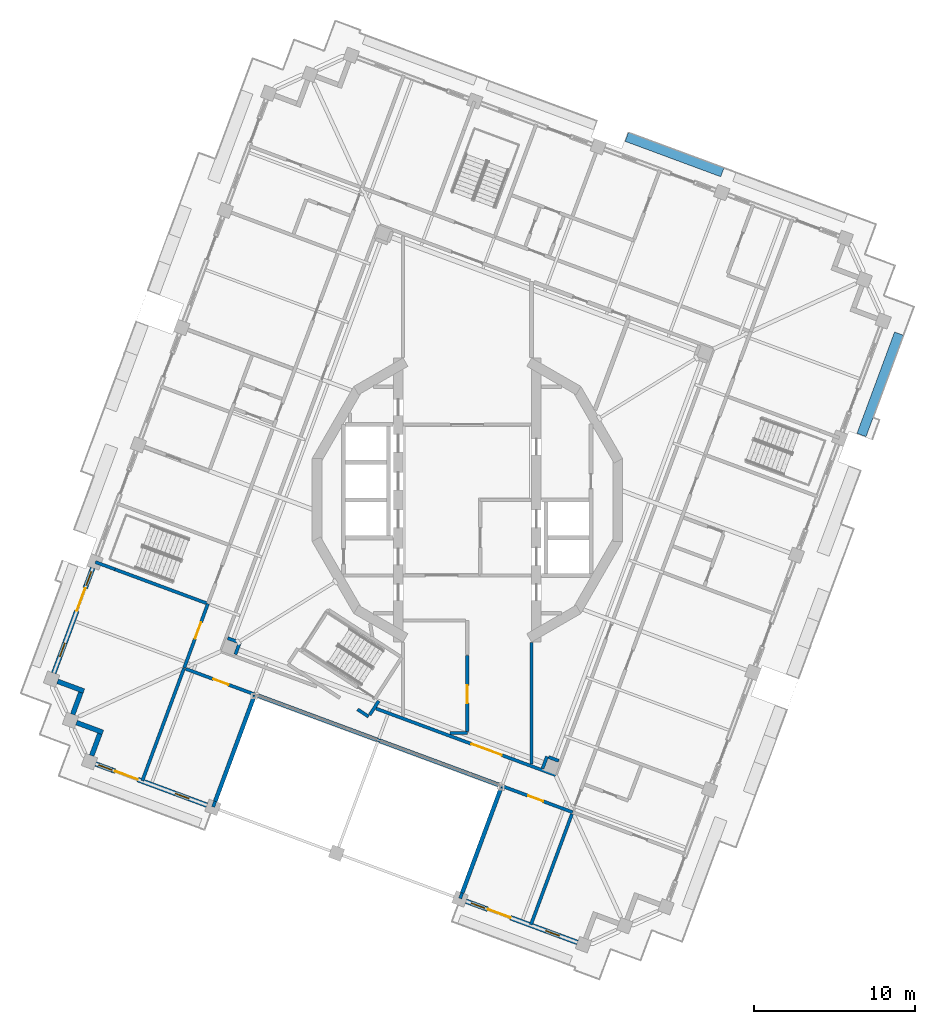
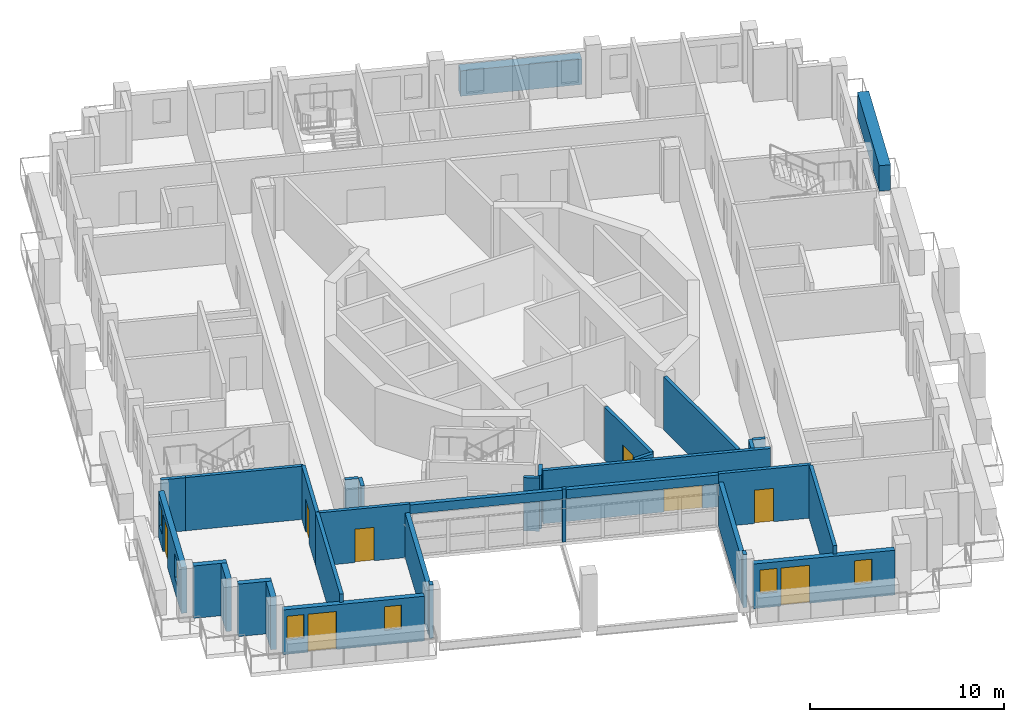
# One storey, part 5 of 19: 31 walls, 8 doors, 6 windows, 2 plates, 14 openings.
"""IFC4 building model written with IfcOpenShell, lengths in metres."""

from ifc_helpers import new_model, si_unit, direction, frame, frame_2d, origin, origin_2d, place, context, subcontext, project, spatial, rectangle, extrude, material, layer, layer_set, type_object, element, fill, save


model = new_model("IFC4")

# Units and contexts
model_context = context("Model", 3, precision=1e-05, world=origin(), true_north=direction((0.0, 1.0)))
body_context = subcontext(model_context, "Body", "Model", "MODEL_VIEW")
ifc_project = project(units=[si_unit("LENGTHUNIT", "METRE"), si_unit("AREAUNIT", "SQUARE_METRE"), si_unit("VOLUMEUNIT", "CUBIC_METRE"), si_unit("PLANEANGLEUNIT", "RADIAN"), si_unit("MASSUNIT", "GRAM", prefix="KILO")], contexts=[model_context])

# Site, building, storey
site_placement = place(None, origin())
site = spatial("IfcSite", under=ifc_project, at=site_placement, CompositionType="ELEMENT")
building_placement = place(site_placement, origin())
building = spatial("IfcBuilding", under=site, at=building_placement, Name="Cantera Rosa Tower", CompositionType="ELEMENT")
storey_placement = place(building_placement, frame((0.0, 0.0, 320.5)))
storey = spatial("IfcBuildingStorey", under=building, at=storey_placement, Name="L71", CompositionType="ELEMENT", Elevation=320.5)

# Plates
ifc_material_1 = material(Name="Cantera stone planter with soil", Category="masonry")
plate_type = type_object("IfcPlateType", Name="PLANTER 600", PredefinedType="USERDEFINED", material=ifc_material_1)
plate_1_placement = place(storey_placement, frame((12.902099609375, 21.5068359375, 0.0), z_axis=(0.0, 0.0, 1.0), x_axis=(-0.937686936924, 0.347481234489, 0.0)))
element("IfcPlate", 1, at=plate_1_placement, inside=storey, type_object=plate_type, Name="PLANTER L71-02", ObjectType="PLANTER", PredefinedType="USERDEFINED", context=body_context, shape_type="SweptSolid", body=[
    extrude(rectangle(XDim=6.35009765625, YDim=0.60009765625, at=origin_2d()), origin(), (0.0, 0.0, 1.0), 1.60009765625),
])
plate_2_placement = place(storey_placement, frame((25.709716796875, 7.199951171875, 0.0), z_axis=(0.0, 0.0, 1.0), x_axis=(0.347481234489, 0.937686936924, 0.0)))
element("IfcPlate", 2, at=plate_2_placement, inside=storey, type_object=plate_type, Name="PLANTER L71-18", ObjectType="PLANTER", PredefinedType="USERDEFINED", context=body_context, shape_type="SweptSolid", body=[
    extrude(rectangle(XDim=6.72998046875, YDim=0.60009765625, at=origin_2d()), origin(), (0.0, 0.0, 1.0), 1.60009765625),
])

# Wall, opening, door
ifc_material_2 = material(Name="Gypsum board partition")
ifc_layer_1 = layer(ifc_material_2, 0.199951171875)
ifc_layer_set_1 = layer_set([ifc_layer_1], Name="CORRIDOR WALL 200 H3350")
wall_type_1 = type_object("IfcWallType", Name="CORRIDOR WALL 200 H3350", PredefinedType="PARTITIONING", material=ifc_layer_set_1)
wall_1_placement = place(storey_placement, frame((-17.52587890625, -10.515380859375, 0.0), z_axis=(0.0, 0.0, 1.0), x_axis=(0.937697424196, -0.347452933009, 0.0)))
wall_1 = element("IfcWall", 3, at=wall_1_placement, inside=storey, type_object=wall_type_1, Name="CORRIDOR WALL L71-003", PredefinedType="PARTITIONING", context=body_context, shape_type="SweptSolid", body=[
    extrude(rectangle(XDim=4.705078125, YDim=0.199951171875, at=frame_2d((2.3525390625, 0.0))), origin(), (0.0, 0.0, 1.0), 3.35009765625),
])
opening_1_placement = place(wall_1_placement, frame((1.830078125, 0.0, 0.0)))
opening_1 = element("IfcOpeningElement", 4, at=opening_1_placement, cuts=wall_1, Name="Opening L71-037", PredefinedType="OPENING", context=body_context, shape_type="SweptSolid", body=[
    extrude(rectangle(XDim=1.0, YDim=2.10009765625, at=frame_2d((0.5, 1.050048828125))), frame((0.0, 0.10986328125, 0.0), z_axis=(0.0, -1.0, 0.0), x_axis=(1.0, 0.0, 0.0)), (0.0, 0.0, 1.0), 0.219970703125),
])
ifc_material_3 = material(Name="Timber door leaf", Category="wood")
door_type_1 = type_object("IfcDoorType", Name="ROOM DOOR 1000x2100", OperationType="NOTDEFINED", PredefinedType="DOOR", material=ifc_material_3)
door_1_placement = place(opening_1_placement, origin())
door_1 = element("IfcDoor", 5, at=door_1_placement, inside=storey, type_object=door_type_1, Name="DOOR L71-037", OperationType="NOTDEFINED", OverallHeight=2.10009765625, OverallWidth=1.0, PredefinedType="DOOR", context=body_context, shape_type="SweptSolid", body=[
    extrude(rectangle(XDim=1.0, YDim=2.10009765625, at=frame_2d((0.5, 1.050048828125))), frame((0.0, 0.02490234375, 0.0), z_axis=(0.0, -1.0, 0.0), x_axis=(1.0, 0.0, 0.0)), (0.0, 0.0, 1.0), 0.050048828125),
])
fill(opening_1, door_1)

# Wall
wall_2_placement = place(storey_placement, frame((-5.638916015625, -14.92041015625, 0.0), z_axis=(0.0, 0.0, 1.0), x_axis=(0.937734459507, -0.347352966669, 0.0)))
element("IfcWall", 6, at=wall_2_placement, inside=storey, type_object=wall_type_1, Name="CORRIDOR WALL L71-004", PredefinedType="PARTITIONING", context=body_context, shape_type="SweptSolid", body=[
    extrude(rectangle(XDim=0.2060546875, YDim=0.199951171875, at=frame_2d((0.10302734375, 0.0))), origin(), (0.0, 0.0, 1.0), 3.35009765625),
])

# Wall, opening, door
wall_3_placement = place(storey_placement, frame((2.029541015625, -17.761962890625, 0.0), z_axis=(0.0, 0.0, 1.0), x_axis=(0.937671830351, -0.34752199724, 0.0)))
wall_3 = element("IfcWall", 7, at=wall_3_placement, inside=storey, type_object=wall_type_1, Name="CORRIDOR WALL L71-005", PredefinedType="PARTITIONING", context=body_context, shape_type="SweptSolid", body=[
    extrude(rectangle(XDim=4.824951171875, YDim=0.199951171875, at=frame_2d((2.41259765625, 0.0))), origin(), (0.0, 0.0, 1.0), 3.35009765625),
])
opening_2_placement = place(wall_3_placement, frame((1.875, 0.0, 0.0)))
opening_2 = element("IfcOpeningElement", 8, at=opening_2_placement, cuts=wall_3, Name="Opening L71-038", PredefinedType="OPENING", context=body_context, shape_type="SweptSolid", body=[
    extrude(rectangle(XDim=1.0, YDim=2.10009765625, at=frame_2d((0.5, 1.050048828125))), frame((0.0, 0.10986328125, 0.0), z_axis=(0.0, -1.0, 0.0), x_axis=(1.0, 0.0, 0.0)), (0.0, 0.0, 1.0), 0.219970703125),
])
door_2_placement = place(opening_2_placement, origin())
door_2 = element("IfcDoor", 9, at=door_2_placement, inside=storey, type_object=door_type_1, Name="DOOR L71-038", OperationType="NOTDEFINED", OverallHeight=2.10009765625, OverallWidth=1.0, PredefinedType="DOOR", context=body_context, shape_type="SweptSolid", body=[
    extrude(rectangle(XDim=1.0, YDim=2.10009765625, at=frame_2d((0.5, 1.050048828125))), frame((0.0, 0.02490234375, 0.0), z_axis=(0.0, -1.0, 0.0), x_axis=(1.0, 0.0, 0.0)), (0.0, 0.0, 1.0), 0.050048828125),
])
fill(opening_2, door_2)

wall_4_placement = place(storey_placement, frame((-16.1513671875, -6.460205078125, 0.0), z_axis=(0.0, 0.0, 1.0), x_axis=(-0.347465539693, -0.937692752838, 0.0)))
wall_4 = element("IfcWall", 10, at=wall_4_placement, inside=storey, type_object=wall_type_1, Name="CORRIDOR WALL L71-006", PredefinedType="PARTITIONING", context=body_context, shape_type="SweptSolid", body=[
    extrude(rectangle(XDim=4.260009765625, YDim=0.199951171875, at=frame_2d((2.1298828125, 0.0))), origin(), (0.0, 0.0, 1.0), 3.35009765625),
])
opening_3_placement = place(wall_4_placement, frame((1.22998046875, 0.0, 0.0)))
opening_3 = element("IfcOpeningElement", 11, at=opening_3_placement, cuts=wall_4, Name="Opening L71-036", PredefinedType="OPENING", context=body_context, shape_type="SweptSolid", body=[
    extrude(rectangle(XDim=1.10009765625, YDim=2.10009765625, at=frame_2d((0.550048828125, 1.050048828125))), frame((0.0, 0.10986328125, 0.0), z_axis=(0.0, -1.0, 0.0), x_axis=(1.0, 0.0, 0.0)), (0.0, 0.0, 1.0), 0.219970703125),
])
ifc_material_4 = material(Name="Timber door leaf", Category="wood")
door_type_2 = type_object("IfcDoorType", Name="ROOM DOOR 1100x2100", OperationType="NOTDEFINED", PredefinedType="DOOR", material=ifc_material_4)
door_3_placement = place(opening_3_placement, origin())
door_3 = element("IfcDoor", 12, at=door_3_placement, inside=storey, type_object=door_type_2, Name="DOOR L71-036", OperationType="NOTDEFINED", OverallHeight=2.10009765625, OverallWidth=1.10009765625, PredefinedType="DOOR", context=body_context, shape_type="SweptSolid", body=[
    extrude(rectangle(XDim=1.10009765625, YDim=2.10009765625, at=frame_2d((0.550048828125, 1.050048828125))), frame((0.0, 0.02490234375, 0.0), z_axis=(0.0, -1.0, 0.0), x_axis=(1.0, 0.0, 0.0)), (0.0, 0.0, 1.0), 0.050048828125),
])
fill(opening_3, door_3)

# Walls
wall_5_placement = place(storey_placement, frame((-6.83251953125, -13.038330078125, 0.0), z_axis=(0.0, 0.0, 1.0), x_axis=(0.838593374038, -0.54475788477, 0.0)))
element("IfcWall", 13, at=wall_5_placement, inside=storey, type_object=wall_type_1, Name="CORRIDOR WALL L71-020", PredefinedType="PARTITIONING", context=body_context, shape_type="SweptSolid", body=[
    extrude(rectangle(XDim=0.8193359375, YDim=0.199951171875, at=frame_2d((0.40966796875, 0.0))), origin(), (0.0, 0.0, 1.0), 3.35009765625),
])
wall_6_placement = place(storey_placement, frame((-6.080078125, -13.3837890625, 0.0), z_axis=(0.0, 0.0, 1.0), x_axis=(0.544566778899, 0.838717487191, 0.0)))
element("IfcWall", 14, at=wall_6_placement, inside=storey, type_object=wall_type_1, Name="CORRIDOR WALL L71-038", PredefinedType="PARTITIONING", context=body_context, shape_type="SweptSolid", body=[
    extrude(rectangle(XDim=1.038330078125, YDim=0.199951171875, at=frame_2d((0.51904296875, 0.0))), origin(), (0.0, 0.0, 1.0), 3.35009765625),
])

# Wall, opening, door
wall_7_placement = place(storey_placement, frame((-5.681396484375, -12.98486328125, 0.0), z_axis=(0.0, 0.0, 1.0), x_axis=(0.937686213924, -0.347483185516, 0.0)))
wall_7 = element("IfcWall", 15, at=wall_7_placement, inside=storey, type_object=wall_type_1, Name="CORRIDOR WALL L71-042", PredefinedType="PARTITIONING", context=body_context, shape_type="SweptSolid", body=[
    extrude(rectangle(XDim=11.915283203125, YDim=0.199951171875, at=frame_2d((5.95751953125, 0.0))), origin(), (0.0, 0.0, 1.0), 3.35009765625),
])
opening_4_placement = place(wall_7_placement, frame((6.342529296875, 0.0, 0.0)))
opening_4 = element("IfcOpeningElement", 16, at=opening_4_placement, cuts=wall_7, Name="Opening L71-011", PredefinedType="OPENING", context=body_context, shape_type="SweptSolid", body=[
    extrude(rectangle(XDim=2.0, YDim=2.10009765625, at=frame_2d((1.0, 1.050048828125))), frame((0.0, 0.10986328125, 0.0), z_axis=(0.0, -1.0, 0.0), x_axis=(1.0, 0.0, 0.0)), (0.0, 0.0, 1.0), 0.219970703125),
])
ifc_material_5 = material(Name="Steel S355J2 (EN 10025-2)", Category="steel")
door_type_3 = type_object("IfcDoorType", Name="LOBBY SCREEN DOOR 2000x2100", OperationType="NOTDEFINED", PredefinedType="DOOR", material=ifc_material_5)
door_4_placement = place(opening_4_placement, origin())
door_4 = element("IfcDoor", 17, at=door_4_placement, inside=storey, type_object=door_type_3, Name="DOOR L71-011", OperationType="NOTDEFINED", OverallHeight=2.10009765625, OverallWidth=2.0, PredefinedType="DOOR", context=body_context, shape_type="SweptSolid", body=[
    extrude(rectangle(XDim=2.0, YDim=2.10009765625, at=frame_2d((1.0, 1.050048828125))), frame((0.0, 0.02490234375, 0.0), z_axis=(0.0, -1.0, 0.0), x_axis=(1.0, 0.0, 0.0)), (0.0, 0.0, 1.0), 0.050048828125),
])
fill(opening_4, door_4)

# Wall
wall_8_placement = place(storey_placement, frame((-1.072998046875, -14.5, 0.0), z_axis=(0.0, 0.0, 1.0), x_axis=(1.0, 0.0, 0.0)))
element("IfcWall", 18, at=wall_8_placement, inside=storey, type_object=wall_type_1, Name="CORRIDOR WALL L71-054", PredefinedType="PARTITIONING", context=body_context, shape_type="SweptSolid", body=[
    extrude(rectangle(XDim=1.072998046875, YDim=0.199951171875, at=frame_2d((0.53662109375, 0.0))), origin(), (0.0, 0.0, 1.0), 3.35009765625),
])

# Wall, opening, door
wall_9_placement = place(storey_placement, frame((0.0, -14.419921875, 0.0), z_axis=(0.0, 0.0, 1.0), x_axis=(0.0, 1.0, 0.0)))
wall_9 = element("IfcWall", 19, at=wall_9_placement, inside=storey, type_object=wall_type_1, Name="CORRIDOR WALL L71-056", PredefinedType="PARTITIONING", context=body_context, shape_type="SweptSolid", body=[
    extrude(rectangle(XDim=4.730712890625, YDim=0.199951171875, at=frame_2d((2.365234375, 0.0))), origin(), (0.0, 0.0, 1.0), 3.35009765625),
])
opening_5_placement = place(wall_9_placement, frame((1.775390625, 0.0, 0.0)))
opening_5 = element("IfcOpeningElement", 20, at=opening_5_placement, cuts=wall_9, Name="Opening L71-014", PredefinedType="OPENING", context=body_context, shape_type="SweptSolid", body=[
    extrude(rectangle(XDim=1.10009765625, YDim=2.10009765625, at=frame_2d((0.550048828125, 1.050048828125))), frame((0.0, 0.10986328125, 0.0), z_axis=(0.0, -1.0, 0.0), x_axis=(1.0, 0.0, 0.0)), (0.0, 0.0, 1.0), 0.219970703125),
])
door_5_placement = place(opening_5_placement, origin())
door_5 = element("IfcDoor", 21, at=door_5_placement, inside=storey, type_object=door_type_2, Name="DOOR L71-014", OperationType="NOTDEFINED", OverallHeight=2.10009765625, OverallWidth=1.10009765625, PredefinedType="DOOR", context=body_context, shape_type="SweptSolid", body=[
    extrude(rectangle(XDim=1.10009765625, YDim=2.10009765625, at=frame_2d((0.550048828125, 1.050048828125))), frame((0.0, 0.02490234375, 0.0), z_axis=(0.0, -1.0, 0.0), x_axis=(1.0, 0.0, 0.0)), (0.0, 0.0, 1.0), 0.050048828125),
])
fill(opening_5, door_5)

# Walls
wall_10_placement = place(storey_placement, frame((4.0, -16.4326171875, 0.0), z_axis=(0.0, 0.0, 1.0), x_axis=(0.0, 1.0, 0.0)))
element("IfcWall", 22, at=wall_10_placement, inside=storey, type_object=wall_type_1, Name="CORRIDOR WALL L71-067", PredefinedType="PARTITIONING", context=body_context, shape_type="SweptSolid", body=[
    extrude(rectangle(XDim=7.5537109375, YDim=0.199951171875, at=frame_2d((3.77685546875, 0.0))), origin(), (0.0, 0.0, 1.0), 3.35009765625),
])
ifc_material_6 = material(Name="Hollow clay masonry with cantera stone cladding", Category="masonry")
ifc_layer_2 = layer(ifc_material_6, 0.300048828125)
ifc_layer_set_2 = layer_set([ifc_layer_2], Name="EW-LOGGIA 300")
wall_type_2 = type_object("IfcWallType", Name="EW-LOGGIA 300", PredefinedType="SOLIDWALL", material=ifc_layer_set_2)
wall_11_placement = place(storey_placement, frame((-25.51220703125, -11.288330078125, 0.0), z_axis=(0.0, 0.0, 1.0), x_axis=(0.937669639538, -0.34752790836, 0.0)))
element("IfcWall", 23, at=wall_11_placement, inside=storey, type_object=wall_type_2, Name="EN-L71-W12a", PredefinedType="SOLIDWALL", context=body_context, shape_type="SweptSolid", body=[
    extrude(rectangle(XDim=1.75, YDim=0.300048828125, at=frame_2d((0.875, 0.0))), origin(), (0.0, 0.0, 1.0), 3.300048828125),
])
wall_12_placement = place(storey_placement, frame((-24.06396484375, -11.985107421875, 0.0), z_axis=(0.0, 0.0, 1.0), x_axis=(-0.347522732201, -0.937671557958, 0.0)))
element("IfcWall", 24, at=wall_12_placement, inside=storey, type_object=wall_type_2, Name="EN-L71-W12b", PredefinedType="SOLIDWALL", context=body_context, shape_type="SweptSolid", body=[
    extrude(rectangle(XDim=1.449951171875, YDim=0.300048828125, at=frame_2d((0.72509765625, 0.0))), origin(), (0.0, 0.0, 1.0), 3.300048828125),
])
wall_13_placement = place(storey_placement, frame((-24.331787109375, -13.858642578125, 0.0), z_axis=(0.0, 0.0, 1.0), x_axis=(0.937669639538, -0.34752790836, 0.0)))
element("IfcWall", 25, at=wall_13_placement, inside=storey, type_object=wall_type_2, Name="EN-L71-W13a", PredefinedType="SOLIDWALL", context=body_context, shape_type="SweptSolid", body=[
    extrude(rectangle(XDim=1.75, YDim=0.300048828125, at=frame_2d((0.875, 0.0))), origin(), (0.0, 0.0, 1.0), 3.300048828125),
])
wall_14_placement = place(storey_placement, frame((-22.883544921875, -14.555419921875, 0.0), z_axis=(0.0, 0.0, 1.0), x_axis=(-0.347522732201, -0.937671557958, 0.0)))
element("IfcWall", 26, at=wall_14_placement, inside=storey, type_object=wall_type_2, Name="EN-L71-W13b", PredefinedType="SOLIDWALL", context=body_context, shape_type="SweptSolid", body=[
    extrude(rectangle(XDim=1.449951171875, YDim=0.300048828125, at=frame_2d((0.72509765625, 0.0))), origin(), (0.0, 0.0, 1.0), 3.300048828125),
])

# Wall, openings, windows, door
ifc_material_7 = material(Name="Hollow clay masonry with cantera stone cladding", Category="masonry")
ifc_layer_3 = layer(ifc_material_7, 0.300048828125)
ifc_layer_set_3 = layer_set([ifc_layer_3], Name="EW-LOGGIA 300 H2820")
wall_type_3 = type_object("IfcWallType", Name="EW-LOGGIA 300 H2820", PredefinedType="SOLIDWALL", material=ifc_layer_set_3)
wall_15_placement = place(storey_placement, frame((-23.1513671875, -16.428955078125, 0.0), z_axis=(0.0, 0.0, 1.0), x_axis=(0.937676706507, -0.347508840281, 0.0)))
wall_15 = element("IfcWall", 27, at=wall_15_placement, inside=storey, type_object=wall_type_3, Name="EN-L71-W14", PredefinedType="SOLIDWALL", context=body_context, shape_type="SweptSolid", body=[
    extrude(rectangle(XDim=7.39990234375, YDim=0.300048828125, at=frame_2d((3.699951171875, 0.0))), origin(), (0.0, 0.0, 1.0), 2.820068359375),
])
opening_6_placement = place(wall_15_placement, frame((0.199951171875, 0.0, 0.89990234375)))
opening_6 = element("IfcOpeningElement", 28, at=opening_6_placement, cuts=wall_15, Name="Opening L71-W28", PredefinedType="OPENING", context=body_context, shape_type="SweptSolid", body=[
    extrude(rectangle(XDim=0.89990234375, YDim=1.5, at=frame_2d((0.449951171875, 0.75))), frame((0.0, 0.159912109375, 0.0), z_axis=(0.0, -1.0, 0.0), x_axis=(1.0, 0.0, 0.0)), (0.0, 0.0, 1.0), 0.320068359375),
])
opening_7_placement = place(wall_15_placement, frame((1.300048828125, 0.0, 0.0)))
opening_7 = element("IfcOpeningElement", 29, at=opening_7_placement, cuts=wall_15, Name="Opening L71-TD29", PredefinedType="OPENING", context=body_context, shape_type="SweptSolid", body=[
    extrude(rectangle(XDim=1.5, YDim=2.39990234375, at=frame_2d((0.75, 1.199951171875))), frame((0.0, 0.159912109375, 0.0), z_axis=(0.0, -1.0, 0.0), x_axis=(1.0, 0.0, 0.0)), (0.0, 0.0, 1.0), 0.320068359375),
])
opening_8_placement = place(wall_15_placement, frame((5.300048828125, 0.0, 0.89990234375)))
opening_8 = element("IfcOpeningElement", 30, at=opening_8_placement, cuts=wall_15, Name="Opening L71-W30", PredefinedType="OPENING", context=body_context, shape_type="SweptSolid", body=[
    extrude(rectangle(XDim=0.89990234375, YDim=1.5, at=frame_2d((0.449951171875, 0.75))), frame((0.0, 0.159912109375, 0.0), z_axis=(0.0, -1.0, 0.0), x_axis=(1.0, 0.0, 0.0)), (0.0, 0.0, 1.0), 0.320068359375),
])
ifc_material_8 = material(Name="Aluminium frame with clear glass", Category="aluminium")
window_type = type_object("IfcWindowType", Name="Residential window 900x1500", PartitioningType="SINGLE_PANEL", PredefinedType="WINDOW", material=ifc_material_8)
window_1_placement = place(opening_6_placement, origin())
window_1 = element("IfcWindow", 31, at=window_1_placement, inside=storey, type_object=window_type, Name="WINDOW L71-W28", OverallHeight=1.5, OverallWidth=0.89990234375, PartitioningType="SINGLE_PANEL", PredefinedType="WINDOW", context=body_context, shape_type="SweptSolid", body=[
    extrude(rectangle(XDim=0.89990234375, YDim=1.5, at=frame_2d((0.449951171875, 0.75))), frame((0.0, 0.030029296875, 0.0), z_axis=(0.0, -1.0, 0.0), x_axis=(1.0, 0.0, 0.0)), (0.0, 0.0, 1.0), 0.06005859375),
])
fill(opening_6, window_1)
window_2_placement = place(opening_8_placement, origin())
window_2 = element("IfcWindow", 32, at=window_2_placement, inside=storey, type_object=window_type, Name="WINDOW L71-W30", OverallHeight=1.5, OverallWidth=0.89990234375, PartitioningType="SINGLE_PANEL", PredefinedType="WINDOW", context=body_context, shape_type="SweptSolid", body=[
    extrude(rectangle(XDim=0.89990234375, YDim=1.5, at=frame_2d((0.449951171875, 0.75))), frame((0.0, 0.030029296875, 0.0), z_axis=(0.0, -1.0, 0.0), x_axis=(1.0, 0.0, 0.0)), (0.0, 0.0, 1.0), 0.06005859375),
])
fill(opening_8, window_2)
ifc_material_9 = material(Name="Aluminium frame with clear glass", Category="aluminium")
door_type_4 = type_object("IfcDoorType", Name="TD-R 1500x2400", OperationType="NOTDEFINED", PredefinedType="DOOR", material=ifc_material_9)
door_6_placement = place(opening_7_placement, origin())
door_6 = element("IfcDoor", 33, at=door_6_placement, inside=storey, type_object=door_type_4, Name="LOGGIA DOOR L71-TD29", OperationType="SLIDING_TO_LEFT", OverallHeight=2.39990234375, OverallWidth=1.5, PredefinedType="DOOR", context=body_context, shape_type="SweptSolid", body=[
    extrude(rectangle(XDim=1.5, YDim=2.39990234375, at=frame_2d((0.75, 1.199951171875))), frame((0.0, 0.02490234375, 0.0), z_axis=(0.0, -1.0, 0.0), x_axis=(1.0, 0.0, 0.0)), (0.0, 0.0, 1.0), 0.050048828125),
])
fill(opening_7, door_6)

wall_16_placement = place(storey_placement, frame((-0.084228515625, -24.97705078125, 0.0), z_axis=(0.0, 0.0, 1.0), x_axis=(0.937687456783, -0.347479831633, 0.0)))
wall_16 = element("IfcWall", 34, at=wall_16_placement, inside=storey, type_object=wall_type_3, Name="EN-L71-W17", PredefinedType="SOLIDWALL", context=body_context, shape_type="SweptSolid", body=[
    extrude(rectangle(XDim=7.39990234375, YDim=0.300048828125, at=frame_2d((3.699951171875, 0.0))), origin(), (0.0, 0.0, 1.0), 2.820068359375),
])
opening_9_placement = place(wall_16_placement, frame((0.35009765625, 0.0, 0.89990234375)))
opening_9 = element("IfcOpeningElement", 35, at=opening_9_placement, cuts=wall_16, Name="Opening L71-W31", PredefinedType="OPENING", context=body_context, shape_type="SweptSolid", body=[
    extrude(rectangle(XDim=0.89990234375, YDim=1.5, at=frame_2d((0.449951171875, 0.75))), frame((0.0, 0.159912109375, 0.0), z_axis=(0.0, -1.0, 0.0), x_axis=(1.0, 0.0, 0.0)), (0.0, 0.0, 1.0), 0.320068359375),
])
opening_10_placement = place(wall_16_placement, frame((1.449951171875, 0.0, 0.0)))
opening_10 = element("IfcOpeningElement", 36, at=opening_10_placement, cuts=wall_16, Name="Opening L71-TD32", PredefinedType="OPENING", context=body_context, shape_type="SweptSolid", body=[
    extrude(rectangle(XDim=1.5, YDim=2.39990234375, at=frame_2d((0.75, 1.199951171875))), frame((0.0, 0.159912109375, 0.0), z_axis=(0.0, -1.0, 0.0), x_axis=(1.0, 0.0, 0.0)), (0.0, 0.0, 1.0), 0.320068359375),
])
opening_11_placement = place(wall_16_placement, frame((5.300048828125, 0.0, 0.89990234375)))
opening_11 = element("IfcOpeningElement", 37, at=opening_11_placement, cuts=wall_16, Name="Opening L71-W33", PredefinedType="OPENING", context=body_context, shape_type="SweptSolid", body=[
    extrude(rectangle(XDim=0.89990234375, YDim=1.5, at=frame_2d((0.449951171875, 0.75))), frame((0.0, 0.159912109375, 0.0), z_axis=(0.0, -1.0, 0.0), x_axis=(1.0, 0.0, 0.0)), (0.0, 0.0, 1.0), 0.320068359375),
])
window_3_placement = place(opening_9_placement, origin())
window_3 = element("IfcWindow", 38, at=window_3_placement, inside=storey, type_object=window_type, Name="WINDOW L71-W31", OverallHeight=1.5, OverallWidth=0.89990234375, PartitioningType="SINGLE_PANEL", PredefinedType="WINDOW", context=body_context, shape_type="SweptSolid", body=[
    extrude(rectangle(XDim=0.89990234375, YDim=1.5, at=frame_2d((0.449951171875, 0.75))), frame((0.0, 0.030029296875, 0.0), z_axis=(0.0, -1.0, 0.0), x_axis=(1.0, 0.0, 0.0)), (0.0, 0.0, 1.0), 0.06005859375),
])
fill(opening_9, window_3)
window_4_placement = place(opening_11_placement, origin())
window_4 = element("IfcWindow", 39, at=window_4_placement, inside=storey, type_object=window_type, Name="WINDOW L71-W33", OverallHeight=1.5, OverallWidth=0.89990234375, PartitioningType="SINGLE_PANEL", PredefinedType="WINDOW", context=body_context, shape_type="SweptSolid", body=[
    extrude(rectangle(XDim=0.89990234375, YDim=1.5, at=frame_2d((0.449951171875, 0.75))), frame((0.0, 0.030029296875, 0.0), z_axis=(0.0, -1.0, 0.0), x_axis=(1.0, 0.0, 0.0)), (0.0, 0.0, 1.0), 0.06005859375),
])
fill(opening_11, window_4)
door_7_placement = place(opening_10_placement, origin())
door_7 = element("IfcDoor", 40, at=door_7_placement, inside=storey, type_object=door_type_4, Name="LOGGIA DOOR L71-TD32", OperationType="SLIDING_TO_LEFT", OverallHeight=2.39990234375, OverallWidth=1.5, PredefinedType="DOOR", context=body_context, shape_type="SweptSolid", body=[
    extrude(rectangle(XDim=1.5, YDim=2.39990234375, at=frame_2d((0.75, 1.199951171875))), frame((0.0, 0.02490234375, 0.0), z_axis=(0.0, -1.0, 0.0), x_axis=(1.0, 0.0, 0.0)), (0.0, 0.0, 1.0), 0.050048828125),
])
fill(opening_10, door_7)

ifc_material_10 = material(Name="Hollow clay masonry with cantera stone cladding", Category="masonry")
ifc_layer_4 = layer(ifc_material_10, 0.300048828125)
ifc_layer_set_4 = layer_set([ifc_layer_4], Name="EW-LOGGIA 300 H2890")
wall_type_4 = type_object("IfcWallType", Name="EW-LOGGIA 300 H2890", PredefinedType="SOLIDWALL", material=ifc_layer_set_4)
wall_17_placement = place(storey_placement, frame((-23.322998046875, -4.229248046875, 0.0), z_axis=(0.0, 0.0, 1.0), x_axis=(-0.347460165909, -0.937694744097, 0.0)))
wall_17 = element("IfcWall", 41, at=wall_17_placement, inside=storey, type_object=wall_type_4, Name="EN-L71-W11", PredefinedType="SOLIDWALL", context=body_context, shape_type="SweptSolid", body=[
    extrude(rectangle(XDim=6.97998046875, YDim=0.300048828125, at=frame_2d((3.489990234375, 0.0))), origin(), (0.0, 0.0, 1.0), 2.889892578125),
])
opening_12_placement = place(wall_17_placement, frame((0.2451171875, 0.0, 0.89990234375)))
opening_12 = element("IfcOpeningElement", 42, at=opening_12_placement, cuts=wall_17, Name="Opening L71-W25", PredefinedType="OPENING", context=body_context, shape_type="SweptSolid", body=[
    extrude(rectangle(XDim=0.89990234375, YDim=1.5, at=frame_2d((0.449951171875, 0.75))), frame((0.0, 0.159912109375, 0.0), z_axis=(0.0, -1.0, 0.0), x_axis=(1.0, 0.0, 0.0)), (0.0, 0.0, 1.0), 0.320068359375),
])
opening_13_placement = place(wall_17_placement, frame((1.344970703125, 0.0, 0.0)))
opening_13 = element("IfcOpeningElement", 43, at=opening_13_placement, cuts=wall_17, Name="Opening L71-TD26", PredefinedType="OPENING", context=body_context, shape_type="SweptSolid", body=[
    extrude(rectangle(XDim=1.5, YDim=2.39990234375, at=frame_2d((0.75, 1.199951171875))), frame((0.0, 0.159912109375, 0.0), z_axis=(0.0, -1.0, 0.0), x_axis=(1.0, 0.0, 0.0)), (0.0, 0.0, 1.0), 0.320068359375),
])
opening_14_placement = place(wall_17_placement, frame((4.985107421875, 0.0, 0.89990234375)))
opening_14 = element("IfcOpeningElement", 44, at=opening_14_placement, cuts=wall_17, Name="Opening L71-W27", PredefinedType="OPENING", context=body_context, shape_type="SweptSolid", body=[
    extrude(rectangle(XDim=0.89990234375, YDim=1.5, at=frame_2d((0.449951171875, 0.75))), frame((0.0, 0.159912109375, 0.0), z_axis=(0.0, -1.0, 0.0), x_axis=(1.0, 0.0, 0.0)), (0.0, 0.0, 1.0), 0.320068359375),
])
window_5_placement = place(opening_12_placement, origin())
window_5 = element("IfcWindow", 45, at=window_5_placement, inside=storey, type_object=window_type, Name="WINDOW L71-W25", OverallHeight=1.5, OverallWidth=0.89990234375, PartitioningType="SINGLE_PANEL", PredefinedType="WINDOW", context=body_context, shape_type="SweptSolid", body=[
    extrude(rectangle(XDim=0.89990234375, YDim=1.5, at=frame_2d((0.449951171875, 0.75))), frame((0.0, 0.030029296875, 0.0), z_axis=(0.0, -1.0, 0.0), x_axis=(1.0, 0.0, 0.0)), (0.0, 0.0, 1.0), 0.06005859375),
])
fill(opening_12, window_5)
window_6_placement = place(opening_14_placement, origin())
window_6 = element("IfcWindow", 46, at=window_6_placement, inside=storey, type_object=window_type, Name="WINDOW L71-W27", OverallHeight=1.5, OverallWidth=0.89990234375, PartitioningType="SINGLE_PANEL", PredefinedType="WINDOW", context=body_context, shape_type="SweptSolid", body=[
    extrude(rectangle(XDim=0.89990234375, YDim=1.5, at=frame_2d((0.449951171875, 0.75))), frame((0.0, 0.030029296875, 0.0), z_axis=(0.0, -1.0, 0.0), x_axis=(1.0, 0.0, 0.0)), (0.0, 0.0, 1.0), 0.06005859375),
])
fill(opening_14, window_6)
door_8_placement = place(opening_13_placement, origin())
door_8 = element("IfcDoor", 47, at=door_8_placement, inside=storey, type_object=door_type_4, Name="LOGGIA DOOR L71-TD26", OperationType="SLIDING_TO_LEFT", OverallHeight=2.39990234375, OverallWidth=1.5, PredefinedType="DOOR", context=body_context, shape_type="SweptSolid", body=[
    extrude(rectangle(XDim=1.5, YDim=2.39990234375, at=frame_2d((0.75, 1.199951171875))), frame((0.0, 0.02490234375, 0.0), z_axis=(0.0, -1.0, 0.0), x_axis=(1.0, 0.0, 0.0)), (0.0, 0.0, 1.0), 0.050048828125),
])
fill(opening_13, door_8)

# Walls
ifc_material_11 = material(Name="Concrete C40/50", Category="concrete")
ifc_layer_5 = layer(ifc_material_11, 0.25)
ifc_layer_set_5 = layer_set([ifc_layer_5], Name="EW-POCKET CHEEK 250 H2820")
wall_type_5 = type_object("IfcWallType", Name="EW-POCKET CHEEK 250 H2820", PredefinedType="SOLIDWALL", material=ifc_layer_set_5)
for number, where, z_axis, x_axis, name in (
    (48, (-15.698486328125, -18.764404296875, 0.0), (0.0, 0.0, 1.0), (0.34747451338, 0.937689427556, 0.0), "POCKET CHEEK A L71"),
    (49, (-0.3203125, -24.463134765625, 0.0), (0.0, 0.0, 1.0), (0.34747451338, 0.937689427556, 0.0), "POCKET CHEEK B L71"),
):
    element("IfcWall", number, at=place(storey_placement, frame(where, z_axis=z_axis, x_axis=x_axis)), inside=storey, type_object=wall_type_5, Name=name, PredefinedType="SOLIDWALL", context=body_context, shape_type="SweptSolid", body=[
        extrude(rectangle(XDim=7.000244140625, YDim=0.25, at=frame_2d((3.5, 0.0))), origin(), (0.0, 0.0, 1.0), 2.820068359375),
    ])
ifc_material_12 = material(Name="Hollow clay masonry with cantera stone cladding", Category="masonry")
ifc_layer_6 = layer(ifc_material_12, 0.25)
ifc_layer_set_6 = layer_set([ifc_layer_6], Name="EW-POCKET REAR 250")
wall_type_6 = type_object("IfcWallType", Name="EW-POCKET REAR 250", PredefinedType="SOLIDWALL", material=ifc_layer_set_6)
for number, where, z_axis, x_axis, name in (
    (50, (-13.1142578125, -12.150146484375, 2.741943359375), (0.0, 0.0, 1.0), (0.937682619082, -0.347492886075, 0.0), "POCKET SPANDREL L71-1"),
    (51, (-5.44580078125, -14.991943359375, 2.741943359375), (0.0, 0.0, 1.0), (0.937692597333, -0.34746595935, 0.0), "POCKET SPANDREL L71-2"),
):
    element("IfcWall", number, at=place(storey_placement, frame(where, z_axis=z_axis, x_axis=x_axis)), inside=storey, type_object=wall_type_6, Name=name, PredefinedType="SOLIDWALL", context=body_context, shape_type="SweptSolid", body=[
        extrude(rectangle(XDim=7.97216796875, YDim=0.25, at=frame_2d((3.986083984375, 0.0))), origin(), (0.0, 0.0, 1.0), 0.55810546875),
    ])
ifc_material_13 = material(Name="Gypsum board partition")
ifc_layer_7 = layer(ifc_material_13, 0.199951171875)
ifc_layer_set_7 = layer_set([ifc_layer_7], Name="PARTITION 200 H3350")
wall_type_7 = type_object("IfcWallType", Name="PARTITION 200 H3350", PredefinedType="PARTITIONING", material=ifc_layer_set_7)
wall_18_placement = place(storey_placement, frame((-17.638427734375, -10.4736328125, 0.0), z_axis=(0.0, 0.0, 1.0), x_axis=(-0.347488923611, -0.937684087509, 0.0)))
element("IfcWall", 52, at=wall_18_placement, inside=storey, type_object=wall_type_7, Name="PARTITION L71-002", PredefinedType="PARTITIONING", context=body_context, shape_type="SweptSolid", body=[
    extrude(rectangle(XDim=7.469970703125, YDim=0.199951171875, at=frame_2d((3.73486328125, 0.0))), origin(), (0.0, 0.0, 1.0), 3.35009765625),
])
wall_19_placement = place(storey_placement, frame((-14.439697265625, -9.611328125, 0.0), z_axis=(0.0, 0.0, 1.0), x_axis=(0.347691457596, 0.937609007164, 0.0)))
element("IfcWall", 53, at=wall_19_placement, inside=storey, type_object=wall_type_7, Name="PARTITION L71-013", PredefinedType="PARTITIONING", context=body_context, shape_type="SweptSolid", body=[
    extrude(rectangle(XDim=0.780029296875, YDim=0.199951171875, at=frame_2d((0.39013671875, 0.0))), origin(), (0.0, 0.0, 1.0), 3.35009765625),
])
wall_20_placement = place(storey_placement, frame((-14.26220703125, -8.84521484375, 0.0), z_axis=(0.0, 0.0, 1.0), x_axis=(-0.937740347131, 0.347337071678, 0.0)))
element("IfcWall", 54, at=wall_20_placement, inside=storey, type_object=wall_type_7, Name="PARTITION L71-014", PredefinedType="PARTITIONING", context=body_context, shape_type="SweptSolid", body=[
    extrude(rectangle(XDim=0.7001953125, YDim=0.199951171875, at=frame_2d((0.35009765625, 0.0))), origin(), (0.0, 0.0, 1.0), 3.35009765625),
])
wall_21_placement = place(storey_placement, frame((-15.698486328125, -18.764404296875, 0.0), z_axis=(0.0, 0.0, 1.0), x_axis=(-0.347142392482, -0.937812432921, 0.0)))
element("IfcWall", 55, at=wall_21_placement, inside=storey, type_object=wall_type_7, Name="PARTITION L71-016", PredefinedType="PARTITIONING", context=body_context, shape_type="SweptSolid", body=[
    extrude(rectangle(XDim=0.369873046875, YDim=0.199951171875, at=frame_2d((0.18505859375, 0.0))), origin(), (0.0, 0.0, 1.0), 3.35009765625),
])
wall_22_placement = place(storey_placement, frame((-0.448974609375, -24.81005859375, 0.0), z_axis=(0.0, 0.0, 1.0), x_axis=(0.347507636708, 0.937677152558, 0.0)))
element("IfcWall", 56, at=wall_22_placement, inside=storey, type_object=wall_type_7, Name="PARTITION L71-055", PredefinedType="PARTITIONING", context=body_context, shape_type="SweptSolid", body=[
    extrude(rectangle(XDim=0.370361328125, YDim=0.199951171875, at=frame_2d((0.18505859375, 0.0))), origin(), (0.0, 0.0, 1.0), 3.35009765625),
])
wall_23_placement = place(storey_placement, frame((4.960205078125, -15.96875, 0.0), z_axis=(0.0, 0.0, 1.0), x_axis=(-0.34737400582, -0.937726665975, 0.0)))
element("IfcWall", 57, at=wall_23_placement, inside=storey, type_object=wall_type_7, Name="PARTITION L71-074", PredefinedType="PARTITIONING", context=body_context, shape_type="SweptSolid", body=[
    extrude(rectangle(XDim=0.7998046875, YDim=0.199951171875, at=frame_2d((0.39990234375, 0.0))), origin(), (0.0, 0.0, 1.0), 3.35009765625),
])
wall_24_placement = place(storey_placement, frame((5.691650390625, -16.23974609375, 0.0), z_axis=(0.0, 0.0, 1.0), x_axis=(-0.937679455874, 0.347501421626, 0.0)))
element("IfcWall", 58, at=wall_24_placement, inside=storey, type_object=wall_type_7, Name="PARTITION L71-076", PredefinedType="PARTITIONING", context=body_context, shape_type="SweptSolid", body=[
    extrude(rectangle(XDim=0.68017578125, YDim=0.199951171875, at=frame_2d((0.340087890625, 0.0))), origin(), (0.0, 0.0, 1.0), 3.35009765625),
])
ifc_material_14 = material(Name="Gypsum board partition")
ifc_layer_8 = layer(ifc_material_14, 0.199951171875)
ifc_layer_set_8 = layer_set([ifc_layer_8], Name="PARTY WALL 200 H3350")
wall_type_8 = type_object("IfcWallType", Name="PARTY WALL 200 H3350", PredefinedType="PARTITIONING", material=ifc_layer_set_8)
wall_25_placement = place(storey_placement, frame((3.958251953125, -26.443115234375, 0.0), z_axis=(0.0, 0.0, 1.0), x_axis=(0.347473379308, 0.937689847803, 0.0)))
element("IfcWall", 59, at=wall_25_placement, inside=storey, type_object=wall_type_8, Name="PARTY WALL L71-065", PredefinedType="PARTITIONING", context=body_context, shape_type="SweptSolid", body=[
    extrude(rectangle(XDim=7.35009765625, YDim=0.199951171875, at=frame_2d((3.675048828125, 0.0))), origin(), (0.0, 0.0, 1.0), 3.35009765625),
])
ifc_material_15 = material(Name="Concrete C50/60", Category="concrete")
ifc_layer_9 = layer(ifc_material_15, 0.199951171875)
ifc_layer_set_9 = layer_set([ifc_layer_9], Name="STAIR WALL 200 H3350")
wall_type_9 = type_object("IfcWallType", Name="STAIR WALL 200 H3350", PredefinedType="SOLIDWALL", material=ifc_layer_set_9)
wall_26_placement = place(storey_placement, frame((-23.15576171875, -3.864501953125, 0.0), z_axis=(0.0, 0.0, 1.0), x_axis=(0.937642248704, -0.347601802994, 0.0)))
element("IfcWall", 60, at=wall_26_placement, inside=storey, type_object=wall_type_9, Name="STAIR WALL L71-001", PredefinedType="SOLIDWALL", context=body_context, shape_type="SweptSolid", body=[
    extrude(rectangle(XDim=1.300048828125, YDim=0.199951171875, at=frame_2d((0.64990234375, 0.0))), origin(), (0.0, 0.0, 1.0), 3.35009765625),
])
wall_27_placement = place(storey_placement, frame((-21.936767578125, -4.31640625, 0.0), z_axis=(0.0, 0.0, 1.0), x_axis=(0.937692901762, -0.347465137797, 0.0)))
element("IfcWall", 61, at=wall_27_placement, inside=storey, type_object=wall_type_9, Name="STAIR WALL L71-001 J", PredefinedType="SOLIDWALL", context=body_context, shape_type="SweptSolid", body=[
    extrude(rectangle(XDim=6.169921875, YDim=0.199951171875, at=frame_2d((3.0849609375, 0.0))), origin(), (0.0, 0.0, 1.0), 3.35009765625),
])

save(model, "model.ifc")
